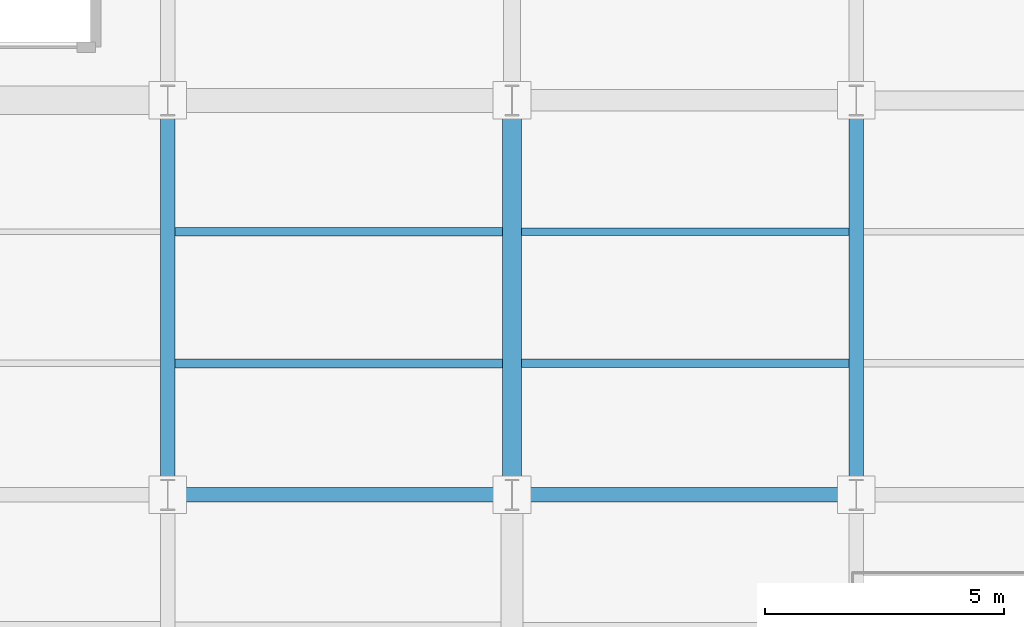
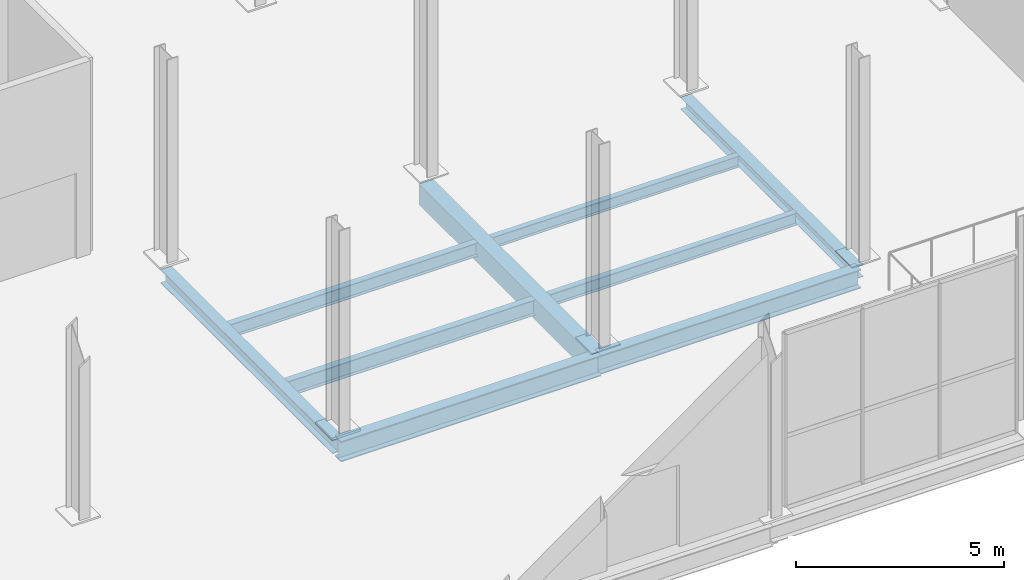
# One storey, part 30 of 144: 9 beams.
"""IFC4 building model written with IfcOpenShell, lengths in metres."""

import ifcopenshell
import ifcopenshell.guid

model = None  # the IFC model being written
_history = None  # IfcOwnerHistory: only IFC2X3 demands one
_inside = {}  # id of a spatial element -> (the spatial element, [elements in it])
_under = {}  # id of a project, library or spatial element -> (it, [spatial elements below it])
_declared = {}  # id of a project -> (the project, [libraries it declares])
_typed = {}  # id of a type object -> (the type object, [elements of that type])
_made_of = {}  # id of a material, layer set ... -> (it, [elements and type objects made of it])


def new_model(schema):
    """Start an empty IFC model of exactly this schema.

    Asked for "IFC4X3", IfcOpenShell would pick the latest addendum, in which some entities
    have other attributes; the version numbers below select the first issue.
    IFC2X3 requires an IfcOwnerHistory on every rooted entity: one is made here for all.
    """
    global model, _history
    if schema == "IFC4X3":
        model = ifcopenshell.file(schema_version=(4, 3, 0, 0))
    else:
        model = ifcopenshell.file(schema=schema)
    _inside.clear()
    _under.clear()
    _declared.clear()
    _typed.clear()
    _made_of.clear()
    _history = None
    if model.schema == "IFC2X3":
        org = make("IfcOrganization", Name="unknown")
        user = make(
            "IfcPersonAndOrganization",
            ThePerson=make("IfcPerson", FamilyName="unknown"),
            TheOrganization=org,
        )
        app = make(
            "IfcApplication",
            ApplicationDeveloper=org,
            Version="unknown",
            ApplicationFullName="unknown",
            ApplicationIdentifier="unknown",
        )
        _history = make(
            "IfcOwnerHistory",
            OwningUser=user,
            OwningApplication=app,
            ChangeAction="ADDED",
            CreationDate=0,
        )
    return model


def make(cls, **values):
    """One entity of the class cls with the attributes given. An attribute that is None is left unset."""
    return model.create_entity(
        cls, **{name: value for name, value in values.items() if value is not None}
    )


def rooted(cls, **values):
    """An entity with a GlobalId (a new one), such as an element, a storey or a relation."""
    return make(cls, GlobalId=ifcopenshell.guid.new(), OwnerHistory=_history, **values)


def si_unit(unit_type, name, prefix=None):
    """IfcSIUnit, for example si_unit("LENGTHUNIT", "METRE", prefix="MILLI")."""
    return make("IfcSIUnit", UnitType=unit_type, Prefix=prefix, Name=name)


def assignment(units):
    """IfcUnitAssignment: the units of a project."""
    return None if units is None else make("IfcUnitAssignment", Units=units)


def point(xyz):
    """IfcCartesianPoint."""
    return None if xyz is None else make("IfcCartesianPoint", Coordinates=xyz)


def direction(xyz):
    """IfcDirection."""
    return None if xyz is None else make("IfcDirection", DirectionRatios=xyz)


def frame(location, z_axis=None, x_axis=None):
    """IfcAxis2Placement3D, a coordinate frame: its origin and axes. An axis left out is left unset."""
    return make(
        "IfcAxis2Placement3D",
        Location=point(location),
        Axis=direction(z_axis),
        RefDirection=direction(x_axis),
    )


def frame_2d(location, x_axis=None):
    """IfcAxis2Placement2D, a coordinate frame in the plane: its origin and x axis."""
    return make(
        "IfcAxis2Placement2D", Location=point(location), RefDirection=direction(x_axis)
    )


def origin():
    """The frame at (0, 0, 0) with its axes left unset."""
    return frame((0.0, 0.0, 0.0))


def origin_2d():
    """The frame at (0, 0) in the plane with its x axis left unset."""
    return frame_2d((0.0, 0.0))


def place(relative_to, where):
    """IfcLocalPlacement: puts the frame where relative to a parent placement (None: the world)."""
    return make(
        "IfcLocalPlacement", PlacementRelTo=relative_to, RelativePlacement=where
    )


def context(
    kind, dimensions, precision=None, world=None, true_north=None, identifier=None
):
    """IfcGeometricRepresentationContext, for example the 3D "Model" context."""
    return make(
        "IfcGeometricRepresentationContext",
        ContextIdentifier=identifier,
        ContextType=kind,
        CoordinateSpaceDimension=dimensions,
        Precision=precision,
        WorldCoordinateSystem=world,
        TrueNorth=true_north,
    )


def subcontext(parent, identifier, kind, view, scale=None):
    """IfcGeometricRepresentationSubContext, for example "Body" below "Model"."""
    return make(
        "IfcGeometricRepresentationSubContext",
        ContextIdentifier=identifier,
        ContextType=kind,
        ParentContext=parent,
        TargetScale=scale,
        TargetView=view,
    )


def project(units=None, contexts=None):
    """IfcProject with its units and contexts."""
    return rooted(
        "IfcProject",
        Name="project",
        RepresentationContexts=contexts,
        UnitsInContext=assignment(units),
    )


def spatial(cls, under=None, at=None, **own):
    """A site, building, storey or space (cls), placed at a placement, below another one or the project."""
    s = rooted(cls, ObjectPlacement=at, **own)
    if under is not None:
        _under.setdefault(under.id(), (under, []))[1].append(s)
    return s


def profile(cls, at=None, kind="AREA", **sizes):
    """A parametric profile (cls). Its sizes go by their IFC names, for example OverallWidth=200.0."""
    return make(cls, ProfileType=kind, Position=at, **sizes)


def rectangle(**sizes):
    """IfcRectangleProfileDef."""
    return profile("IfcRectangleProfileDef", **sizes)


def i_section(**sizes):
    """IfcIShapeProfileDef."""
    return profile("IfcIShapeProfileDef", **sizes)


def extrude(swept, where, along, depth):
    """IfcExtrudedAreaSolid: the profile swept, set in the frame where, extruded along a direction by depth."""
    return make(
        "IfcExtrudedAreaSolid",
        SweptArea=swept,
        Position=where,
        ExtrudedDirection=direction(along),
        Depth=depth,
    )


def shape(context_of_items, identifier, shape_type, items):
    """IfcShapeRepresentation: the items that make up one representation, for example the "Body"."""
    return make(
        "IfcShapeRepresentation",
        ContextOfItems=context_of_items,
        RepresentationIdentifier=identifier,
        RepresentationType=shape_type,
        Items=items,
    )


def material(Name=None, Category=None):
    """IfcMaterial."""
    return make("IfcMaterial", Name=Name, Category=Category)


def material_profile(
    of_material, cross_section, Name=None, Category=None, Priority=None
):
    """IfcMaterialProfile: a cross section and its material."""
    return make(
        "IfcMaterialProfile",
        Name=Name,
        Material=of_material,
        Profile=cross_section,
        Priority=Priority,
        Category=Category,
    )


def profile_set(profiles, Name=None, composite=None):
    """IfcMaterialProfileSet."""
    return make(
        "IfcMaterialProfileSet",
        Name=Name,
        MaterialProfiles=profiles,
        CompositeProfile=composite,
    )


def made_of(thing, what):
    """Note that an element or type object is made of a material, layer set ...; save() writes the relation."""
    if what is not None:
        _made_of.setdefault(what.id(), (what, []))[1].append(thing)
    return thing


def type_object(cls, material=None, **own):
    """A type object (cls), such as IfcWallType, which elements share."""
    return made_of(rooted(cls, **own), material)


def element(
    cls,
    number,
    at=None,
    inside=None,
    cuts=None,
    type_object=None,
    material=None,
    context=None,
    identifier="Body",
    shape_type=None,
    held_by="IfcProductDefinitionShape",
    body=None,
    shapes=None,
    **own,
):
    """One element of the class cls, such as IfcWall. Its Tag is "e" and its number.

    at: its placement. inside: the storey or other place that contains it. cuts: it is an
    opening in that element (IfcRelVoidsElement). A single representation is given by context,
    identifier, shape_type and body (its items); several are given by shapes. held_by: the class
    of the entity that holds the representations. save() writes the other relations.
    """
    e = rooted(cls, Tag="e%d" % number, ObjectPlacement=at, **own)
    if body is not None:
        shapes = [shape(context, identifier, shape_type, body)]
    if shapes is not None:
        e.Representation = make(held_by, Representations=shapes)
    if inside is not None:
        _inside.setdefault(inside.id(), (inside, []))[1].append(e)
    if cuts is not None:
        rooted(
            "IfcRelVoidsElement", RelatingBuildingElement=cuts, RelatedOpeningElement=e
        )
    if type_object is not None:
        _typed.setdefault(type_object.id(), (type_object, []))[1].append(e)
    return made_of(e, material)


def aggregate(whole, parts):
    """IfcRelAggregates: a whole, such as a stair, and the parts it consists of."""
    return rooted("IfcRelAggregates", RelatingObject=whole, RelatedObjects=parts)


def save(model, path):
    """Write the relations noted so far, then the file.

    IfcRelAggregates (storeys below a building ...), IfcRelContainedInSpatialStructure (elements
    in a storey), IfcRelDefinesByType, IfcRelAssociatesMaterial and IfcRelDeclares: one each for
    every whole, place, type object, material and project.
    """
    for whole, parts in _under.values():
        aggregate(whole, parts)
    for where, things in _inside.values():
        rooted(
            "IfcRelContainedInSpatialStructure",
            RelatedElements=things,
            RelatingStructure=where,
        )
    for kind, things in _typed.values():
        rooted("IfcRelDefinesByType", RelatedObjects=things, RelatingType=kind)
    for what, things in _made_of.values():
        rooted("IfcRelAssociatesMaterial", RelatedObjects=things, RelatingMaterial=what)
    for by, libraries in _declared.values():
        rooted("IfcRelDeclares", RelatingContext=by, RelatedDefinitions=libraries)
    model.write(path)


model = new_model("IFC4")

# Units and contexts
model_context = context("Model", 3, precision=1e-05, world=origin(), true_north=direction((0.0, 1.0)))
body_context = subcontext(model_context, "Body", "Model", "MODEL_VIEW")
ifc_project = project(units=[si_unit("LENGTHUNIT", "METRE"), si_unit("AREAUNIT", "SQUARE_METRE"), si_unit("VOLUMEUNIT", "CUBIC_METRE"), si_unit("PLANEANGLEUNIT", "RADIAN"), si_unit("MASSUNIT", "GRAM", prefix="KILO")], contexts=[model_context])

# Site, building, storey
site_placement = place(None, origin())
site = spatial("IfcSite", under=ifc_project, at=site_placement, CompositionType="ELEMENT")
building_placement = place(site_placement, origin())
building = spatial("IfcBuilding", under=site, at=building_placement, Name="Sundgate Opera House", CompositionType="ELEMENT")
storey_placement = place(building_placement, origin())
storey = spatial("IfcBuildingStorey", under=building, at=storey_placement, Name="L00", CompositionType="ELEMENT", Elevation=0.0)

# Beams
ifc_material_1 = material(Name="Steel S355J2", Category="steel")
ifc_material_profile_1 = material_profile(ifc_material_1, i_section(OverallWidth=0.300048828125, OverallDepth=0.35009765625, WebThickness=0.010009765625, FlangeThickness=0.017578125, at=origin_2d()), Name="HEA 360")
ifc_profile_set_1 = profile_set([ifc_material_profile_1], Name="Steel S355J2")
beam_type_1 = type_object("IfcBeamType", Name="BM-GR-HEA360", PredefinedType="BEAM", material=ifc_profile_set_1)
beam_1_placement = place(storey_placement, frame((124.199951171875, 8.25, -0.4951171875), z_axis=(0.0, 1.0, 0.0), x_axis=(-1.0, 0.0, 0.0)))
element("IfcBeam", 1, at=beam_1_placement, inside=storey, type_object=beam_type_1, Name="L00 Primary N-S Girder B0247", PredefinedType="BEAM", context=body_context, shape_type="SweptSolid", body=[
    extrude(i_section(OverallWidth=0.300048828125, OverallDepth=0.35009765625, WebThickness=0.010009765625, FlangeThickness=0.017578125, at=origin_2d()), origin(), (0.0, 0.0, 1.0), 8.25),
])
ifc_material_2 = material(Name="Steel S355J2", Category="steel")
ifc_material_profile_2 = material_profile(ifc_material_2, i_section(OverallWidth=0.300048828125, OverallDepth=0.39990234375, WebThickness=0.013427734375, FlangeThickness=0.02392578125, at=origin_2d()), Name="HEB 400")
ifc_profile_set_2 = profile_set([ifc_material_profile_2], Name="Steel S355J2")
beam_type_2 = type_object("IfcBeamType", Name="BM-GR-HEB400", PredefinedType="BEAM", material=ifc_profile_set_2)
beam_2_placement = place(storey_placement, frame((109.800048828125, 8.25, -0.52001953125), z_axis=(0.0, 1.0, 0.0), x_axis=(-1.0, 0.0, 0.0)))
element("IfcBeam", 2, at=beam_2_placement, inside=storey, type_object=beam_type_2, Name="L00 Primary N-S Girder B0219", PredefinedType="BEAM", context=body_context, shape_type="SweptSolid", body=[
    extrude(i_section(OverallWidth=0.300048828125, OverallDepth=0.39990234375, WebThickness=0.013427734375, FlangeThickness=0.02392578125, at=origin_2d()), origin(), (0.0, 0.0, 1.0), 8.25),
])
ifc_material_3 = material(Name="Steel S355J2", Category="steel")
ifc_material_profile_3 = material_profile(ifc_material_3, i_section(OverallWidth=0.300048828125, OverallDepth=0.550048828125, WebThickness=0.014892578125, FlangeThickness=0.029052734375, at=origin_2d()), Name="HEB 550")
ifc_profile_set_3 = profile_set([ifc_material_profile_3], Name="Steel S355J2")
beam_type_3 = type_object("IfcBeamType", Name="BM-GR-HEB550", PredefinedType="BEAM", material=ifc_profile_set_3)
beam_3_placement = place(storey_placement, frame((117.0, 8.25, -0.594970703125), z_axis=(1.0, 0.0, 0.0), x_axis=(0.0, 1.0, 0.0)))
element("IfcBeam", 3, at=beam_3_placement, inside=storey, type_object=beam_type_3, Name="L00 Primary E-W Girder B0347", PredefinedType="BEAM", context=body_context, shape_type="SweptSolid", body=[
    extrude(i_section(OverallWidth=0.300048828125, OverallDepth=0.550048828125, WebThickness=0.014892578125, FlangeThickness=0.029052734375, at=origin_2d()), origin(), (0.0, 0.0, 1.0), 7.199951171875),
])
ifc_material_4 = material(Name="Steel S355J2", Category="steel")
ifc_material_profile_4 = material_profile(ifc_material_4, i_section(OverallWidth=0.300048828125, OverallDepth=0.60009765625, WebThickness=0.015380859375, FlangeThickness=0.030029296875, at=origin_2d()), Name="HEB 600")
ifc_profile_set_4 = profile_set([ifc_material_profile_4], Name="Steel S355J2")
beam_type_4 = type_object("IfcBeamType", Name="BM-GR-HEB600", PredefinedType="BEAM", material=ifc_profile_set_4)
beam_4_placement = place(storey_placement, frame((109.800048828125, 8.25, -0.6201171875), z_axis=(1.0, 0.0, 0.0), x_axis=(0.0, 1.0, 0.0)))
element("IfcBeam", 4, at=beam_4_placement, inside=storey, type_object=beam_type_4, Name="L00 Primary E-W Girder B0346", PredefinedType="BEAM", context=body_context, shape_type="SweptSolid", body=[
    extrude(i_section(OverallWidth=0.300048828125, OverallDepth=0.60009765625, WebThickness=0.015380859375, FlangeThickness=0.030029296875, at=origin_2d()), origin(), (0.0, 0.0, 1.0), 7.199951171875),
])
ifc_material_5 = material(Name="Steel S355J2", Category="steel")
ifc_material_profile_5 = material_profile(ifc_material_5, i_section(OverallWidth=0.159912109375, OverallDepth=0.330078125, WebThickness=0.007568359375, FlangeThickness=0.011474609375, at=origin_2d()), Name="IPE 330")
ifc_profile_set_5 = profile_set([ifc_material_profile_5], Name="Steel S355J2")
beam_type_5 = type_object("IfcBeamType", Name="BM-JS-IPE330", PredefinedType="JOIST", material=ifc_profile_set_5)
beam_5_placement = place(storey_placement, frame((117.199951171875, 13.75, -0.485107421875), z_axis=(1.0, 0.0, 0.0), x_axis=(0.0, 1.0, 0.0)))
element("IfcBeam", 5, at=beam_5_placement, inside=storey, type_object=beam_type_5, Name="L00 Secondary Floor Joist B0640", PredefinedType="JOIST", context=body_context, shape_type="SweptSolid", body=[
    extrude(i_section(OverallWidth=0.159912109375, OverallDepth=0.330078125, WebThickness=0.007568359375, FlangeThickness=0.011474609375, at=origin_2d()), origin(), (0.0, 0.0, 1.0), 6.85009765625),
])
ifc_material_6 = material(Name="Steel S355J2", Category="steel")
ifc_material_profile_6 = material_profile(ifc_material_6, i_section(OverallWidth=0.169921875, OverallDepth=0.360107421875, WebThickness=0.008056640625, FlangeThickness=0.0126953125, at=origin_2d()), Name="IPE 360")
ifc_profile_set_6 = profile_set([ifc_material_profile_6], Name="Steel S355J2")
beam_type_6 = type_object("IfcBeamType", Name="BM-JS-IPE360", PredefinedType="JOIST", material=ifc_profile_set_6)
beam_6_placement = place(storey_placement, frame((117.199951171875, 11.0, -0.5), z_axis=(1.0, 0.0, 0.0), x_axis=(0.0, 1.0, 0.0)))
element("IfcBeam", 6, at=beam_6_placement, inside=storey, type_object=beam_type_6, Name="L00 Secondary Floor Joist B0639", PredefinedType="JOIST", context=body_context, shape_type="SweptSolid", body=[
    extrude(i_section(OverallWidth=0.169921875, OverallDepth=0.360107421875, WebThickness=0.008056640625, FlangeThickness=0.0126953125, at=origin_2d()), origin(), (0.0, 0.0, 1.0), 6.85009765625),
])
ifc_material_7 = material(Name="Steel S355J2", Category="steel")
ifc_material_profile_7 = material_profile(ifc_material_7, i_section(OverallWidth=0.179931640625, OverallDepth=0.39990234375, WebThickness=0.008544921875, FlangeThickness=0.013427734375, at=origin_2d()), Name="IPE 400")
ifc_profile_set_7 = profile_set([ifc_material_profile_7], Name="Steel S355J2")
beam_type_7 = type_object("IfcBeamType", Name="BM-JS-IPE400", PredefinedType="JOIST", material=ifc_profile_set_7)
beam_7_placement = place(storey_placement, frame((109.949951171875, 13.75, -0.52001953125), z_axis=(1.0, 0.0, 0.0), x_axis=(0.0, 1.0, 0.0)))
element("IfcBeam", 7, at=beam_7_placement, inside=storey, type_object=beam_type_7, Name="L00 Secondary Floor Joist B0638", PredefinedType="JOIST", context=body_context, shape_type="SweptSolid", body=[
    extrude(i_section(OverallWidth=0.179931640625, OverallDepth=0.39990234375, WebThickness=0.008544921875, FlangeThickness=0.013427734375, at=origin_2d()), origin(), (0.0, 0.0, 1.0), 6.85009765625),
])
ifc_material_8 = material(Name="Steel S355J2", Category="steel")
ifc_material_profile_8 = material_profile(ifc_material_8, i_section(OverallWidth=0.18994140625, OverallDepth=0.449951171875, WebThickness=0.009521484375, FlangeThickness=0.0146484375, at=origin_2d()), Name="IPE 450")
ifc_profile_set_8 = profile_set([ifc_material_profile_8], Name="Steel S355J2")
beam_type_8 = type_object("IfcBeamType", Name="BM-JS-IPE450", PredefinedType="JOIST", material=ifc_profile_set_8)
beam_8_placement = place(storey_placement, frame((109.949951171875, 11.0, -0.544921875), z_axis=(1.0, 0.0, 0.0), x_axis=(0.0, 1.0, 0.0)))
element("IfcBeam", 8, at=beam_8_placement, inside=storey, type_object=beam_type_8, Name="L00 Secondary Floor Joist B0637", PredefinedType="JOIST", context=body_context, shape_type="SweptSolid", body=[
    extrude(i_section(OverallWidth=0.18994140625, OverallDepth=0.449951171875, WebThickness=0.009521484375, FlangeThickness=0.0146484375, at=origin_2d()), origin(), (0.0, 0.0, 1.0), 6.85009765625),
])
ifc_material_9 = material(Name="Concrete C35/45", Category="concrete")
ifc_material_profile_9 = material_profile(ifc_material_9, rectangle(XDim=0.39990234375, YDim=0.60009765625, at=origin_2d()), Name="RC 400x600")
ifc_profile_set_9 = profile_set([ifc_material_profile_9], Name="Concrete C35/45")
beam_type_9 = type_object("IfcBeamType", Name="BM-RC-400x600", PredefinedType="BEAM", material=ifc_profile_set_9)
beam_9_placement = place(storey_placement, frame((117.0, 8.25, -0.6201171875), z_axis=(0.0, 1.0, 0.0), x_axis=(-1.0, 0.0, 0.0)))
element("IfcBeam", 9, at=beam_9_placement, inside=storey, type_object=beam_type_9, Name="L00 Primary N-S Girder B0233", PredefinedType="BEAM", context=body_context, shape_type="SweptSolid", body=[
    extrude(rectangle(XDim=0.39990234375, YDim=0.60009765625, at=origin_2d()), origin(), (0.0, 0.0, 1.0), 8.25),
])

save(model, "model.ifc")
